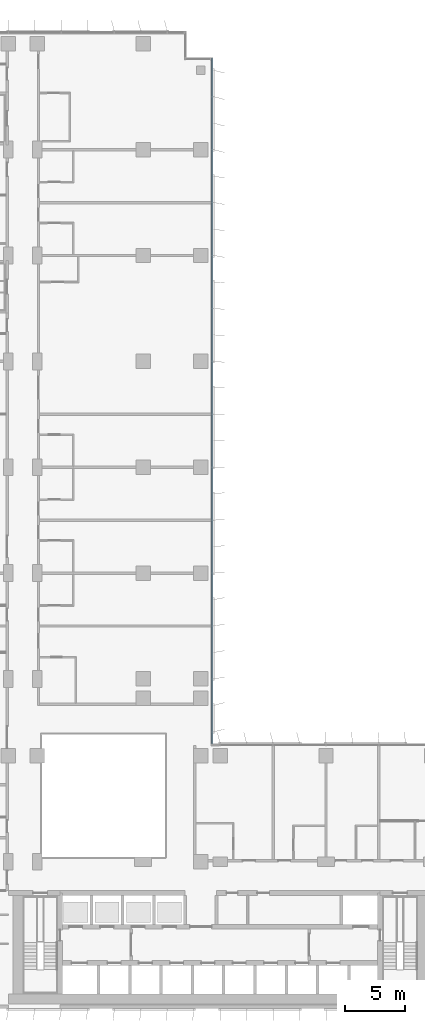
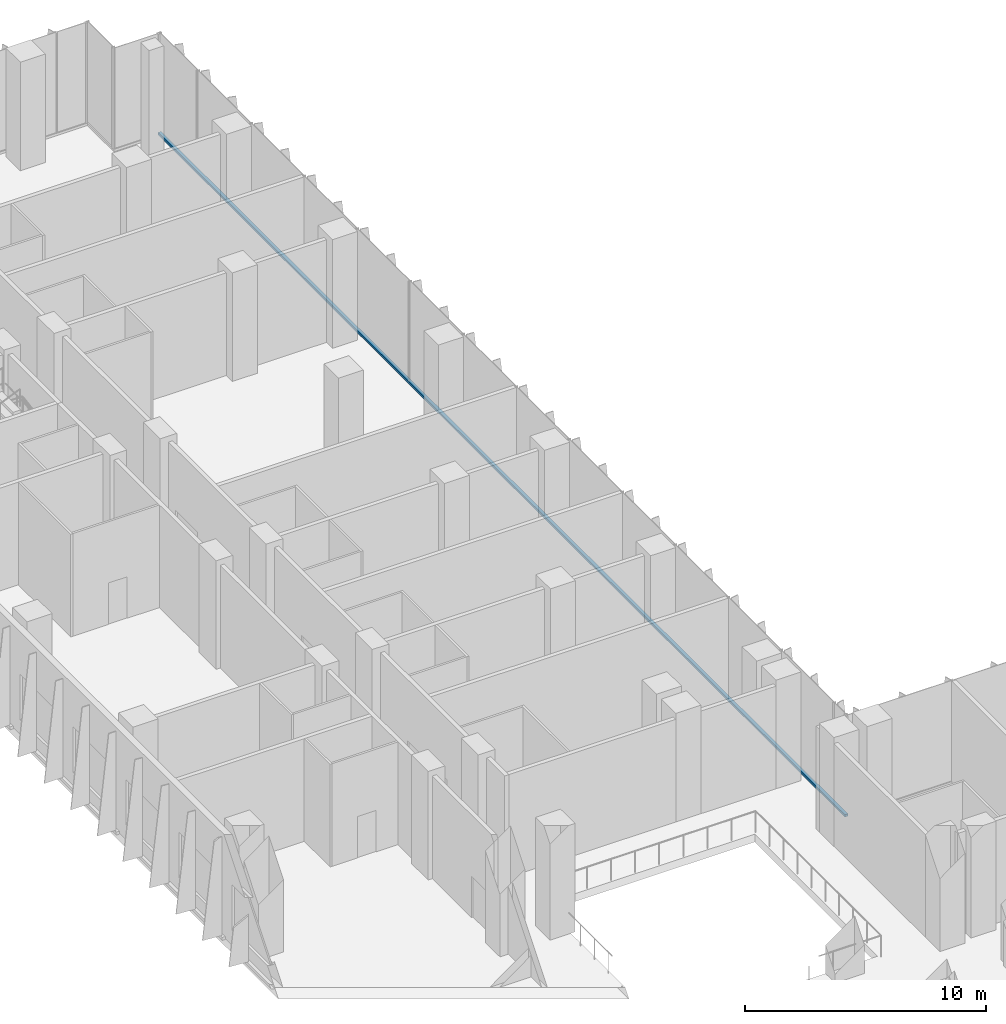
# One storey, part 6 of 26: 1 member, 1 element without a shape of its own.
"""IFC4 building model written with IfcOpenShell, lengths in metres."""

from ifc_helpers import new_model, si_unit, direction, frame, origin, origin_2d, place, context, subcontext, project, spatial, rectangle, extrude, material, material_profile, profile_set, type_object, element, aggregate, save


model = new_model("IFC4")

# Units and contexts
model_context = context("Model", 3, precision=1e-05, world=origin(), true_north=direction((0.0, 1.0)))
body_context = subcontext(model_context, "Body", "Model", "MODEL_VIEW")
ifc_project = project(units=[si_unit("LENGTHUNIT", "METRE"), si_unit("AREAUNIT", "SQUARE_METRE"), si_unit("VOLUMEUNIT", "CUBIC_METRE"), si_unit("PLANEANGLEUNIT", "RADIAN"), si_unit("MASSUNIT", "GRAM", prefix="KILO")], contexts=[model_context])

# Site, building, storey
site_placement = place(None, origin())
site = spatial("IfcSite", under=ifc_project, at=site_placement, CompositionType="ELEMENT")
building_placement = place(site_placement, origin())
building = spatial("IfcBuilding", under=site, at=building_placement, Name="Kemantara Hotel Tower", CompositionType="ELEMENT")
storey_placement = place(building_placement, frame((0.0, 0.0, 101.89990234375)))
storey = spatial("IfcBuildingStorey", under=building, at=storey_placement, Name="L24", CompositionType="ELEMENT", Elevation=101.89990234375)

# Curtain wall, member
ifc_material_1 = material(Name="Low-E tinted double insulated glass 36 mm", Category="glass")
curtain_wall_type = type_object("IfcCurtainWallType", Name="TOWER CURTAIN WALL, FRONT FACES", PredefinedType="USERDEFINED", material=ifc_material_1)
curtain_wall_placement = place(storey_placement, origin())
curtain_wall = element("IfcCurtainWall", 1, at=curtain_wall_placement, inside=storey, type_object=curtain_wall_type, Name="CW4 L24 T2-R14-1", ObjectType="TOWER CURTAIN WALL, FRONT FACES", PredefinedType="USERDEFINED")
ifc_material_2 = material(Name="Aluminium 6063-T6 bronze anodised", Category="aluminium")
ifc_material_profile = material_profile(ifc_material_2, rectangle(XDim=0.14990234375, YDim=0.1201171875, at=origin_2d()), Name="TOWER CURTAIN WALL, FRONT FACES TRANSOM")
ifc_profile_set = profile_set([ifc_material_profile], Name="Aluminium 6063-T6 bronze anodised")
member_type = type_object("IfcMemberType", Name="TOWER CURTAIN WALL, FRONT FACES TRANSOM", PredefinedType="USERDEFINED", material=ifc_profile_set)
member_placement = place(storey_placement, frame((26.72509765625, 22.0, 0.06005859375), z_axis=(0.0, 1.0, 0.0), x_axis=(-1.0, 0.0, 0.0)))
member = element("IfcMember", 2, at=member_placement, type_object=member_type, Name="CW4 sill transom T2-R14-1", ObjectType="TRANSOM", PredefinedType="USERDEFINED", context=body_context, shape_type="SweptSolid", body=[
    extrude(rectangle(XDim=0.14990234375, YDim=0.1201171875, at=origin_2d()), origin(), (0.0, 0.0, 1.0), 57.0),
])
aggregate(curtain_wall, [member])

save(model, "model.ifc")
